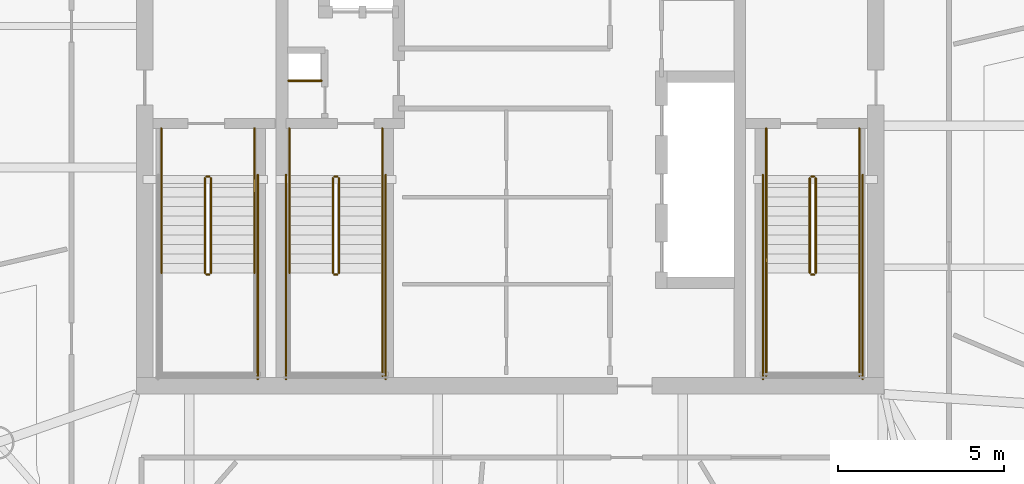
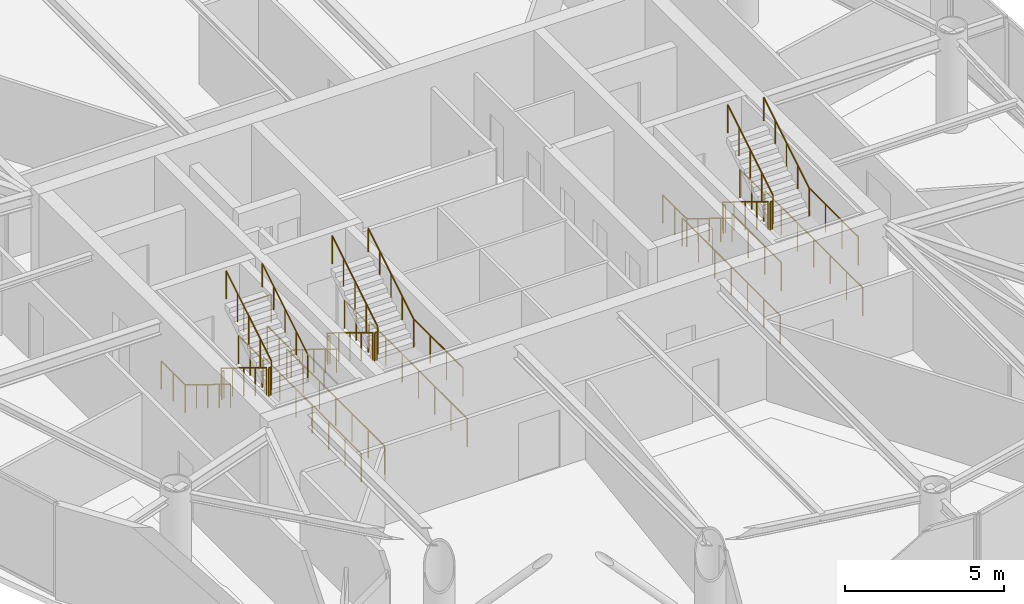
# One storey, part 18 of 19: 33 railings.
"""IFC4 building model written with IfcOpenShell, lengths in metres."""

from ifc_helpers import new_model, si_unit, direction, frame, origin, origin_2d, place, context, subcontext, project, spatial, circle, extrude, material, type_object, element, save


model = new_model("IFC4")

# Units and contexts
model_context = context("Model", 3, precision=1e-05, world=origin(), true_north=direction((0.0, 1.0)))
body_context = subcontext(model_context, "Body", "Model", "MODEL_VIEW")
ifc_project = project(units=[si_unit("LENGTHUNIT", "METRE"), si_unit("AREAUNIT", "SQUARE_METRE"), si_unit("VOLUMEUNIT", "CUBIC_METRE"), si_unit("PLANEANGLEUNIT", "RADIAN"), si_unit("MASSUNIT", "GRAM", prefix="KILO")], contexts=[model_context])

# Site, building, storey
site_placement = place(None, origin())
site = spatial("IfcSite", under=ifc_project, at=site_placement, CompositionType="ELEMENT")
building_placement = place(site_placement, origin())
building = spatial("IfcBuilding", under=site, at=building_placement, Name="Bramvorn Convention Spire", CompositionType="ELEMENT")
storey_placement = place(building_placement, frame((0.0, 0.0, 292.10009765625)))
storey = spatial("IfcBuildingStorey", under=building, at=storey_placement, Name="L74", CompositionType="ELEMENT", Elevation=292.10009765625)

# Railings
ifc_material_1 = material(Name="Painted Steel Balustrade & Guardrail", Category="steel")
railing_type_1 = type_object("IfcRailingType", Name="RL-STAIR-GUARD-1100", PredefinedType="GUARDRAIL", material=ifc_material_1)
railing_1_placement = place(storey_placement, frame((28.81005859375, 25.050048828125, 0.1748046875)))
element("IfcRailing", 1, at=railing_1_placement, inside=storey, type_object=railing_type_1, Name="L74 ST1 stair guard 1", PredefinedType="GUARDRAIL", context=body_context, shape_type="SweptSolid", body=[
    extrude(circle(Radius=0.02392578125, at=origin_2d()), frame((0.0, 0.0, 1.076171875), z_axis=(0.0, -0.852179220489, 0.52325001306), x_axis=(1.0, 0.0, 0.0)), (0.0, 0.0, 1.0), 3.344482421875),
    extrude(circle(Radius=0.02099609375, at=origin_2d()), origin(), (0.0, 0.0, 1.0), 1.052001953125),
    extrude(circle(Radius=0.02099609375, at=origin_2d()), frame((0.0, -0.71240234375, 0.4375)), (0.0, 0.0, 1.0), 1.052001953125),
    extrude(circle(Radius=0.02099609375, at=origin_2d()), frame((0.0, -1.425048828125, 0.875)), (0.0, 0.0, 1.0), 1.052001953125),
    extrude(circle(Radius=0.02099609375, at=origin_2d()), frame((0.0, -2.1376953125, 1.3125)), (0.0, 0.0, 1.0), 1.052001953125),
    extrude(circle(Radius=0.02099609375, at=origin_2d()), frame((0.0, -2.85009765625, 1.75)), (0.0, 0.0, 1.0), 1.052001953125),
])
railing_2_placement = place(storey_placement, frame((28.860107421875, 22.14990234375, 1.9248046875)))
element("IfcRailing", 2, at=railing_2_placement, inside=storey, type_object=railing_type_1, Name="L74 ST1 stair guard 2", PredefinedType="GUARDRAIL", context=body_context, shape_type="SweptSolid", body=[
    extrude(circle(Radius=0.02392578125, at=origin_2d()), frame((0.0, 0.0, 1.076171875), z_axis=(1.0, 0.0, 0.0), x_axis=(0.0, 1.0, 0.0)), (0.0, 0.0, 1.0), 0.079833984375),
    extrude(circle(Radius=0.02099609375, at=origin_2d()), origin(), (0.0, 0.0, 1.0), 1.052001953125),
    extrude(circle(Radius=0.02099609375, at=origin_2d()), frame((0.079833984375, 0.0, 0.0)), (0.0, 0.0, 1.0), 1.052001953125),
])
railing_3_placement = place(storey_placement, frame((28.989990234375, 22.199951171875, 2.099853515625)))
element("IfcRailing", 3, at=railing_3_placement, inside=storey, type_object=railing_type_1, Name="L74 ST1 stair guard 6", PredefinedType="GUARDRAIL", context=body_context, shape_type="SweptSolid", body=[
    extrude(circle(Radius=0.02392578125, at=origin_2d()), frame((0.0, 0.0, 1.076171875), z_axis=(0.0, 0.852179220489, 0.52325001306), x_axis=(-1.0, 0.0, 0.0)), (0.0, 0.0, 1.0), 3.344482421875),
    extrude(circle(Radius=0.02099609375, at=origin_2d()), origin(), (0.0, 0.0, 1.0), 1.052001953125),
    extrude(circle(Radius=0.02099609375, at=origin_2d()), frame((0.0, 0.71240234375, 0.4375)), (0.0, 0.0, 1.0), 1.052001953125),
    extrude(circle(Radius=0.02099609375, at=origin_2d()), frame((0.0, 1.425048828125, 0.875)), (0.0, 0.0, 1.0), 1.052001953125),
    extrude(circle(Radius=0.02099609375, at=origin_2d()), frame((0.0, 2.1376953125, 1.3125)), (0.0, 0.0, 1.0), 1.052001953125),
    extrude(circle(Radius=0.02099609375, at=origin_2d()), frame((0.0, 2.85009765625, 1.75)), (0.0, 0.0, 1.0), 1.052001953125),
])
railing_4_placement = place(storey_placement, frame((28.860107421875, 25.10009765625, 0.0)))
element("IfcRailing", 4, at=railing_4_placement, inside=storey, type_object=railing_type_1, Name="L74 ST1 stair guard 7", PredefinedType="GUARDRAIL", context=body_context, shape_type="SweptSolid", body=[
    extrude(circle(Radius=0.02392578125, at=origin_2d()), frame((0.0, 0.0, 1.076171875), z_axis=(1.0, 0.0, 0.0), x_axis=(0.0, 1.0, 0.0)), (0.0, 0.0, 1.0), 0.079833984375),
    extrude(circle(Radius=0.02099609375, at=origin_2d()), origin(), (0.0, 0.0, 1.0), 1.052001953125),
    extrude(circle(Radius=0.02099609375, at=origin_2d()), frame((0.079833984375, 0.0, 0.0)), (0.0, 0.0, 1.0), 1.052001953125),
])
for number, where, name in (
    (5, (27.5, 26.550048828125, 0.0), "L74 ST1 stair guard 8"),
    (6, (30.300048828125, 26.550048828125, 0.0), "L74 ST1 stair guard 9"),
):
    element("IfcRailing", number, at=place(storey_placement, frame(where)), inside=storey, type_object=railing_type_1, Name=name, PredefinedType="GUARDRAIL", context=body_context, shape_type="SweptSolid", body=[
        extrude(circle(Radius=0.02392578125, at=origin_2d()), frame((0.0, 0.0, 1.076171875), z_axis=(0.0, -1.0, 0.0), x_axis=(1.0, 0.0, 0.0)), (0.0, 0.0, 1.0), 1.5),
        extrude(circle(Radius=0.02099609375, at=origin_2d()), origin(), (0.0, 0.0, 1.0), 1.052001953125),
        extrude(circle(Radius=0.02099609375, at=origin_2d()), frame((0.0, -0.75, 0.0)), (0.0, 0.0, 1.0), 1.052001953125),
        extrude(circle(Radius=0.02099609375, at=origin_2d()), frame((0.0, -1.5, 0.0)), (0.0, 0.0, 1.0), 1.052001953125),
    ])
railing_5_placement = place(storey_placement, frame((30.39990234375, 25.14990234375, 0.0)))
element("IfcRailing", 7, at=railing_5_placement, inside=storey, type_object=railing_type_1, Name="L74 ST1 stair guard 11", PredefinedType="GUARDRAIL", context=body_context, shape_type="SweptSolid", body=[
    extrude(circle(Radius=0.02392578125, at=origin_2d()), frame((0.0, 0.0, 1.076171875), z_axis=(0.0, -1.0, 0.0), x_axis=(1.0, 0.0, 0.0)), (0.0, 0.0, 1.0), 6.14990234375),
    extrude(circle(Radius=0.02099609375, at=origin_2d()), origin(), (0.0, 0.0, 1.0), 1.052001953125),
    extrude(circle(Radius=0.02099609375, at=origin_2d()), frame((0.0, -1.02490234375, 0.0)), (0.0, 0.0, 1.0), 1.052001953125),
    extrude(circle(Radius=0.02099609375, at=origin_2d()), frame((0.0, -2.050048828125, 0.0)), (0.0, 0.0, 1.0), 1.052001953125),
    extrude(circle(Radius=0.02099609375, at=origin_2d()), frame((0.0, -3.074951171875, 0.0)), (0.0, 0.0, 1.0), 1.052001953125),
    extrude(circle(Radius=0.02099609375, at=origin_2d()), frame((0.0, -4.099853515625, 0.0)), (0.0, 0.0, 1.0), 1.052001953125),
    extrude(circle(Radius=0.02099609375, at=origin_2d()), frame((0.0, -5.125, 0.0)), (0.0, 0.0, 1.0), 1.052001953125),
    extrude(circle(Radius=0.02099609375, at=origin_2d()), frame((0.0, -6.14990234375, 0.0)), (0.0, 0.0, 1.0), 1.052001953125),
])
railing_6_placement = place(storey_placement, frame((47.010009765625, 25.050048828125, 0.1748046875)))
element("IfcRailing", 8, at=railing_6_placement, inside=storey, type_object=railing_type_1, Name="L74 ST2 stair guard 1", PredefinedType="GUARDRAIL", context=body_context, shape_type="SweptSolid", body=[
    extrude(circle(Radius=0.02392578125, at=origin_2d()), frame((0.0, 0.0, 1.076171875), z_axis=(0.0, -0.852179220489, 0.52325001306), x_axis=(1.0, 0.0, 0.0)), (0.0, 0.0, 1.0), 3.344482421875),
    extrude(circle(Radius=0.02099609375, at=origin_2d()), origin(), (0.0, 0.0, 1.0), 1.052001953125),
    extrude(circle(Radius=0.02099609375, at=origin_2d()), frame((0.0, -0.71240234375, 0.4375)), (0.0, 0.0, 1.0), 1.052001953125),
    extrude(circle(Radius=0.02099609375, at=origin_2d()), frame((0.0, -1.425048828125, 0.875)), (0.0, 0.0, 1.0), 1.052001953125),
    extrude(circle(Radius=0.02099609375, at=origin_2d()), frame((0.0, -2.1376953125, 1.3125)), (0.0, 0.0, 1.0), 1.052001953125),
    extrude(circle(Radius=0.02099609375, at=origin_2d()), frame((0.0, -2.85009765625, 1.75)), (0.0, 0.0, 1.0), 1.052001953125),
])
railing_7_placement = place(storey_placement, frame((47.06005859375, 22.14990234375, 1.9248046875)))
element("IfcRailing", 9, at=railing_7_placement, inside=storey, type_object=railing_type_1, Name="L74 ST2 stair guard 2", PredefinedType="GUARDRAIL", context=body_context, shape_type="SweptSolid", body=[
    extrude(circle(Radius=0.02392578125, at=origin_2d()), frame((0.0, 0.0, 1.076171875), z_axis=(1.0, 0.0, 0.0), x_axis=(0.0, 1.0, 0.0)), (0.0, 0.0, 1.0), 0.079833984375),
    extrude(circle(Radius=0.02099609375, at=origin_2d()), origin(), (0.0, 0.0, 1.0), 1.052001953125),
    extrude(circle(Radius=0.02099609375, at=origin_2d()), frame((0.079833984375, 0.0, 0.0)), (0.0, 0.0, 1.0), 1.052001953125),
])
for number, where, name in (
    (10, (45.699951171875, 22.199951171875, 1.9248046875), "L74 ST2 stair guard 3"),
    (11, (48.5, 22.199951171875, 1.9248046875), "L74 ST2 stair guard 4"),
):
    element("IfcRailing", number, at=place(storey_placement, frame(where)), inside=storey, type_object=railing_type_1, Name=name, PredefinedType="GUARDRAIL", context=body_context, shape_type="SweptSolid", body=[
        extrude(circle(Radius=0.02392578125, at=origin_2d()), frame((0.0, 0.0, 1.076171875), z_axis=(0.0, -1.0, 0.0), x_axis=(1.0, 0.0, 0.0)), (0.0, 0.0, 1.0), 3.099853515625),
        extrude(circle(Radius=0.02099609375, at=origin_2d()), origin(), (0.0, 0.0, 1.0), 1.052001953125),
        extrude(circle(Radius=0.02099609375, at=origin_2d()), frame((0.0, -1.033203125, 0.0)), (0.0, 0.0, 1.0), 1.052001953125),
        extrude(circle(Radius=0.02099609375, at=origin_2d()), frame((0.0, -2.066650390625, 0.0)), (0.0, 0.0, 1.0), 1.052001953125),
        extrude(circle(Radius=0.02099609375, at=origin_2d()), frame((0.0, -3.099853515625, 0.0)), (0.0, 0.0, 1.0), 1.052001953125),
    ])
railing_8_placement = place(storey_placement, frame((47.18994140625, 22.199951171875, 2.099853515625)))
element("IfcRailing", 12, at=railing_8_placement, inside=storey, type_object=railing_type_1, Name="L74 ST2 stair guard 6", PredefinedType="GUARDRAIL", context=body_context, shape_type="SweptSolid", body=[
    extrude(circle(Radius=0.02392578125, at=origin_2d()), frame((0.0, 0.0, 1.076171875), z_axis=(0.0, 0.852179220489, 0.52325001306), x_axis=(-1.0, 0.0, 0.0)), (0.0, 0.0, 1.0), 3.344482421875),
    extrude(circle(Radius=0.02099609375, at=origin_2d()), origin(), (0.0, 0.0, 1.0), 1.052001953125),
    extrude(circle(Radius=0.02099609375, at=origin_2d()), frame((0.0, 0.71240234375, 0.4375)), (0.0, 0.0, 1.0), 1.052001953125),
    extrude(circle(Radius=0.02099609375, at=origin_2d()), frame((0.0, 1.425048828125, 0.875)), (0.0, 0.0, 1.0), 1.052001953125),
    extrude(circle(Radius=0.02099609375, at=origin_2d()), frame((0.0, 2.1376953125, 1.3125)), (0.0, 0.0, 1.0), 1.052001953125),
    extrude(circle(Radius=0.02099609375, at=origin_2d()), frame((0.0, 2.85009765625, 1.75)), (0.0, 0.0, 1.0), 1.052001953125),
])
railing_9_placement = place(storey_placement, frame((47.06005859375, 25.10009765625, 0.0)))
element("IfcRailing", 13, at=railing_9_placement, inside=storey, type_object=railing_type_1, Name="L74 ST2 stair guard 7", PredefinedType="GUARDRAIL", context=body_context, shape_type="SweptSolid", body=[
    extrude(circle(Radius=0.02392578125, at=origin_2d()), frame((0.0, 0.0, 1.076171875), z_axis=(1.0, 0.0, 0.0), x_axis=(0.0, 1.0, 0.0)), (0.0, 0.0, 1.0), 0.079833984375),
    extrude(circle(Radius=0.02099609375, at=origin_2d()), origin(), (0.0, 0.0, 1.0), 1.052001953125),
    extrude(circle(Radius=0.02099609375, at=origin_2d()), frame((0.079833984375, 0.0, 0.0)), (0.0, 0.0, 1.0), 1.052001953125),
])
for number, where, name in (
    (14, (45.699951171875, 26.550048828125, 0.0), "L74 ST2 stair guard 8"),
    (15, (48.5, 26.550048828125, 0.0), "L74 ST2 stair guard 9"),
):
    element("IfcRailing", number, at=place(storey_placement, frame(where)), inside=storey, type_object=railing_type_1, Name=name, PredefinedType="GUARDRAIL", context=body_context, shape_type="SweptSolid", body=[
        extrude(circle(Radius=0.02392578125, at=origin_2d()), frame((0.0, 0.0, 1.076171875), z_axis=(0.0, -1.0, 0.0), x_axis=(1.0, 0.0, 0.0)), (0.0, 0.0, 1.0), 1.5),
        extrude(circle(Radius=0.02099609375, at=origin_2d()), origin(), (0.0, 0.0, 1.0), 1.052001953125),
        extrude(circle(Radius=0.02099609375, at=origin_2d()), frame((0.0, -0.75, 0.0)), (0.0, 0.0, 1.0), 1.052001953125),
        extrude(circle(Radius=0.02099609375, at=origin_2d()), frame((0.0, -1.5, 0.0)), (0.0, 0.0, 1.0), 1.052001953125),
    ])
for number, where, name in (
    (16, (45.60009765625, 25.14990234375, 0.0), "L74 ST2 stair guard 10"),
    (17, (48.60009765625, 25.14990234375, 0.0), "L74 ST2 stair guard 11"),
):
    element("IfcRailing", number, at=place(storey_placement, frame(where)), inside=storey, type_object=railing_type_1, Name=name, PredefinedType="GUARDRAIL", context=body_context, shape_type="SweptSolid", body=[
        extrude(circle(Radius=0.02392578125, at=origin_2d()), frame((0.0, 0.0, 1.076171875), z_axis=(0.0, -1.0, 0.0), x_axis=(1.0, 0.0, 0.0)), (0.0, 0.0, 1.0), 6.14990234375),
        extrude(circle(Radius=0.02099609375, at=origin_2d()), origin(), (0.0, 0.0, 1.0), 1.052001953125),
        extrude(circle(Radius=0.02099609375, at=origin_2d()), frame((0.0, -1.02490234375, 0.0)), (0.0, 0.0, 1.0), 1.052001953125),
        extrude(circle(Radius=0.02099609375, at=origin_2d()), frame((0.0, -2.050048828125, 0.0)), (0.0, 0.0, 1.0), 1.052001953125),
        extrude(circle(Radius=0.02099609375, at=origin_2d()), frame((0.0, -3.074951171875, 0.0)), (0.0, 0.0, 1.0), 1.052001953125),
        extrude(circle(Radius=0.02099609375, at=origin_2d()), frame((0.0, -4.099853515625, 0.0)), (0.0, 0.0, 1.0), 1.052001953125),
        extrude(circle(Radius=0.02099609375, at=origin_2d()), frame((0.0, -5.125, 0.0)), (0.0, 0.0, 1.0), 1.052001953125),
        extrude(circle(Radius=0.02099609375, at=origin_2d()), frame((0.0, -6.14990234375, 0.0)), (0.0, 0.0, 1.0), 1.052001953125),
    ])
railing_10_placement = place(storey_placement, frame((32.659912109375, 25.050048828125, 0.1748046875)))
element("IfcRailing", 18, at=railing_10_placement, inside=storey, type_object=railing_type_1, Name="L74 ST3 stair guard 1", PredefinedType="GUARDRAIL", context=body_context, shape_type="SweptSolid", body=[
    extrude(circle(Radius=0.02392578125, at=origin_2d()), frame((0.0, 0.0, 1.076171875), z_axis=(0.0, -0.852179220489, 0.52325001306), x_axis=(1.0, 0.0, 0.0)), (0.0, 0.0, 1.0), 3.344482421875),
    extrude(circle(Radius=0.02099609375, at=origin_2d()), origin(), (0.0, 0.0, 1.0), 1.052001953125),
    extrude(circle(Radius=0.02099609375, at=origin_2d()), frame((0.0, -0.71240234375, 0.4375)), (0.0, 0.0, 1.0), 1.052001953125),
    extrude(circle(Radius=0.02099609375, at=origin_2d()), frame((0.0, -1.425048828125, 0.875)), (0.0, 0.0, 1.0), 1.052001953125),
    extrude(circle(Radius=0.02099609375, at=origin_2d()), frame((0.0, -2.1376953125, 1.3125)), (0.0, 0.0, 1.0), 1.052001953125),
    extrude(circle(Radius=0.02099609375, at=origin_2d()), frame((0.0, -2.85009765625, 1.75)), (0.0, 0.0, 1.0), 1.052001953125),
])
railing_11_placement = place(storey_placement, frame((32.7099609375, 22.14990234375, 1.9248046875)))
element("IfcRailing", 19, at=railing_11_placement, inside=storey, type_object=railing_type_1, Name="L74 ST3 stair guard 2", PredefinedType="GUARDRAIL", context=body_context, shape_type="SweptSolid", body=[
    extrude(circle(Radius=0.02392578125, at=origin_2d()), frame((0.0, 0.0, 1.076171875), z_axis=(1.0, 0.0, 0.0), x_axis=(0.0, 1.0, 0.0)), (0.0, 0.0, 1.0), 0.080078125),
    extrude(circle(Radius=0.02099609375, at=origin_2d()), origin(), (0.0, 0.0, 1.0), 1.052001953125),
    extrude(circle(Radius=0.02099609375, at=origin_2d()), frame((0.080078125, 0.0, 0.0)), (0.0, 0.0, 1.0), 1.052001953125),
])
railing_12_placement = place(storey_placement, frame((34.14990234375, 22.199951171875, 1.9248046875)))
element("IfcRailing", 20, at=railing_12_placement, inside=storey, type_object=railing_type_1, Name="L74 ST3 stair guard 4", PredefinedType="GUARDRAIL", context=body_context, shape_type="SweptSolid", body=[
    extrude(circle(Radius=0.02392578125, at=origin_2d()), frame((0.0, 0.0, 1.076171875), z_axis=(0.0, -1.0, 0.0), x_axis=(1.0, 0.0, 0.0)), (0.0, 0.0, 1.0), 3.099853515625),
    extrude(circle(Radius=0.02099609375, at=origin_2d()), origin(), (0.0, 0.0, 1.0), 1.052001953125),
    extrude(circle(Radius=0.02099609375, at=origin_2d()), frame((0.0, -1.033203125, 0.0)), (0.0, 0.0, 1.0), 1.052001953125),
    extrude(circle(Radius=0.02099609375, at=origin_2d()), frame((0.0, -2.066650390625, 0.0)), (0.0, 0.0, 1.0), 1.052001953125),
    extrude(circle(Radius=0.02099609375, at=origin_2d()), frame((0.0, -3.099853515625, 0.0)), (0.0, 0.0, 1.0), 1.052001953125),
])
railing_13_placement = place(storey_placement, frame((32.840087890625, 22.199951171875, 2.099853515625)))
element("IfcRailing", 21, at=railing_13_placement, inside=storey, type_object=railing_type_1, Name="L74 ST3 stair guard 6", PredefinedType="GUARDRAIL", context=body_context, shape_type="SweptSolid", body=[
    extrude(circle(Radius=0.02392578125, at=origin_2d()), frame((0.0, 0.0, 1.076171875), z_axis=(0.0, 0.852179220489, 0.52325001306), x_axis=(-1.0, 0.0, 0.0)), (0.0, 0.0, 1.0), 3.344482421875),
    extrude(circle(Radius=0.02099609375, at=origin_2d()), origin(), (0.0, 0.0, 1.0), 1.052001953125),
    extrude(circle(Radius=0.02099609375, at=origin_2d()), frame((0.0, 0.71240234375, 0.4375)), (0.0, 0.0, 1.0), 1.052001953125),
    extrude(circle(Radius=0.02099609375, at=origin_2d()), frame((0.0, 1.425048828125, 0.875)), (0.0, 0.0, 1.0), 1.052001953125),
    extrude(circle(Radius=0.02099609375, at=origin_2d()), frame((0.0, 2.1376953125, 1.3125)), (0.0, 0.0, 1.0), 1.052001953125),
    extrude(circle(Radius=0.02099609375, at=origin_2d()), frame((0.0, 2.85009765625, 1.75)), (0.0, 0.0, 1.0), 1.052001953125),
])
railing_14_placement = place(storey_placement, frame((32.7099609375, 25.10009765625, 0.0)))
element("IfcRailing", 22, at=railing_14_placement, inside=storey, type_object=railing_type_1, Name="L74 ST3 stair guard 7", PredefinedType="GUARDRAIL", context=body_context, shape_type="SweptSolid", body=[
    extrude(circle(Radius=0.02392578125, at=origin_2d()), frame((0.0, 0.0, 1.076171875), z_axis=(1.0, 0.0, 0.0), x_axis=(0.0, 1.0, 0.0)), (0.0, 0.0, 1.0), 0.080078125),
    extrude(circle(Radius=0.02099609375, at=origin_2d()), origin(), (0.0, 0.0, 1.0), 1.052001953125),
    extrude(circle(Radius=0.02099609375, at=origin_2d()), frame((0.080078125, 0.0, 0.0)), (0.0, 0.0, 1.0), 1.052001953125),
])
for number, where, name in (
    (23, (31.35009765625, 26.550048828125, 0.0), "L74 ST3 stair guard 8"),
    (24, (34.14990234375, 26.550048828125, 0.0), "L74 ST3 stair guard 9"),
):
    element("IfcRailing", number, at=place(storey_placement, frame(where)), inside=storey, type_object=railing_type_1, Name=name, PredefinedType="GUARDRAIL", context=body_context, shape_type="SweptSolid", body=[
        extrude(circle(Radius=0.02392578125, at=origin_2d()), frame((0.0, 0.0, 1.076171875), z_axis=(0.0, -1.0, 0.0), x_axis=(1.0, 0.0, 0.0)), (0.0, 0.0, 1.0), 1.5),
        extrude(circle(Radius=0.02099609375, at=origin_2d()), origin(), (0.0, 0.0, 1.0), 1.052001953125),
        extrude(circle(Radius=0.02099609375, at=origin_2d()), frame((0.0, -0.75, 0.0)), (0.0, 0.0, 1.0), 1.052001953125),
        extrude(circle(Radius=0.02099609375, at=origin_2d()), frame((0.0, -1.5, 0.0)), (0.0, 0.0, 1.0), 1.052001953125),
    ])
for number, where, name in (
    (25, (31.25, 25.14990234375, 0.0), "L74 ST3 stair guard 10"),
    (26, (34.25, 25.14990234375, 0.0), "L74 ST3 stair guard 11"),
):
    element("IfcRailing", number, at=place(storey_placement, frame(where)), inside=storey, type_object=railing_type_1, Name=name, PredefinedType="GUARDRAIL", context=body_context, shape_type="SweptSolid", body=[
        extrude(circle(Radius=0.02392578125, at=origin_2d()), frame((0.0, 0.0, 1.076171875), z_axis=(0.0, -1.0, 0.0), x_axis=(1.0, 0.0, 0.0)), (0.0, 0.0, 1.0), 6.14990234375),
        extrude(circle(Radius=0.02099609375, at=origin_2d()), origin(), (0.0, 0.0, 1.0), 1.052001953125),
        extrude(circle(Radius=0.02099609375, at=origin_2d()), frame((0.0, -1.02490234375, 0.0)), (0.0, 0.0, 1.0), 1.052001953125),
        extrude(circle(Radius=0.02099609375, at=origin_2d()), frame((0.0, -2.050048828125, 0.0)), (0.0, 0.0, 1.0), 1.052001953125),
        extrude(circle(Radius=0.02099609375, at=origin_2d()), frame((0.0, -3.074951171875, 0.0)), (0.0, 0.0, 1.0), 1.052001953125),
        extrude(circle(Radius=0.02099609375, at=origin_2d()), frame((0.0, -4.099853515625, 0.0)), (0.0, 0.0, 1.0), 1.052001953125),
        extrude(circle(Radius=0.02099609375, at=origin_2d()), frame((0.0, -5.125, 0.0)), (0.0, 0.0, 1.0), 1.052001953125),
        extrude(circle(Radius=0.02099609375, at=origin_2d()), frame((0.0, -6.14990234375, 0.0)), (0.0, 0.0, 1.0), 1.052001953125),
    ])
railing_15_placement = place(storey_placement, frame((31.320068359375, 27.97998046875, 0.0)))
element("IfcRailing", 27, at=railing_15_placement, inside=storey, type_object=railing_type_1, Name="L74 Telecom riser shaft opening safety guardrail", PredefinedType="GUARDRAIL", context=body_context, shape_type="SweptSolid", body=[
    extrude(circle(Radius=0.02392578125, at=origin_2d()), frame((0.0, 0.0, 1.076171875), z_axis=(1.0, 0.0, 0.0), x_axis=(0.0, 1.0, 0.0)), (0.0, 0.0, 1.0), 1.0),
    extrude(circle(Radius=0.02099609375, at=origin_2d()), origin(), (0.0, 0.0, 1.0), 1.052001953125),
    extrude(circle(Radius=0.02099609375, at=origin_2d()), frame((1.0, 0.0, 0.0)), (0.0, 0.0, 1.0), 1.052001953125),
])
ifc_material_2 = material(Name="Brushed Bronze Tubular Handrail", Category="aluminium")
railing_type_2 = type_object("IfcRailingType", Name="RL-STAIR-HR-920", PredefinedType="HANDRAIL", material=ifc_material_2)
railing_16_placement = place(storey_placement, frame((27.5, 25.050048828125, 0.1748046875)))
element("IfcRailing", 28, at=railing_16_placement, inside=storey, type_object=railing_type_2, Name="L74 ST1 stair handrail 1", PredefinedType="HANDRAIL", context=body_context, shape_type="SweptSolid", body=[
    extrude(circle(Radius=0.02392578125, at=origin_2d()), frame((0.0, 0.0, 0.89599609375), z_axis=(0.0, -0.852179220489, 0.52325001306), x_axis=(1.0, 0.0, 0.0)), (0.0, 0.0, 1.0), 3.344482421875),
    extrude(circle(Radius=0.02099609375, at=origin_2d()), origin(), (0.0, 0.0, 1.0), 0.871826171875),
    extrude(circle(Radius=0.02099609375, at=origin_2d()), frame((0.0, -0.71240234375, 0.4375)), (0.0, 0.0, 1.0), 0.871826171875),
    extrude(circle(Radius=0.02099609375, at=origin_2d()), frame((0.0, -1.425048828125, 0.875)), (0.0, 0.0, 1.0), 0.871826171875),
    extrude(circle(Radius=0.02099609375, at=origin_2d()), frame((0.0, -2.1376953125, 1.3125)), (0.0, 0.0, 1.0), 0.871826171875),
    extrude(circle(Radius=0.02099609375, at=origin_2d()), frame((0.0, -2.85009765625, 1.75)), (0.0, 0.0, 1.0), 0.871826171875),
])
railing_17_placement = place(storey_placement, frame((30.300048828125, 22.199951171875, 2.099853515625)))
element("IfcRailing", 29, at=railing_17_placement, inside=storey, type_object=railing_type_2, Name="L74 ST1 stair handrail 2", PredefinedType="HANDRAIL", context=body_context, shape_type="SweptSolid", body=[
    extrude(circle(Radius=0.02392578125, at=origin_2d()), frame((0.0, 0.0, 0.89599609375), z_axis=(0.0, 0.852179220489, 0.52325001306), x_axis=(-1.0, 0.0, 0.0)), (0.0, 0.0, 1.0), 3.344482421875),
    extrude(circle(Radius=0.02099609375, at=origin_2d()), origin(), (0.0, 0.0, 1.0), 0.871826171875),
    extrude(circle(Radius=0.02099609375, at=origin_2d()), frame((0.0, 0.71240234375, 0.4375)), (0.0, 0.0, 1.0), 0.871826171875),
    extrude(circle(Radius=0.02099609375, at=origin_2d()), frame((0.0, 1.425048828125, 0.875)), (0.0, 0.0, 1.0), 0.871826171875),
    extrude(circle(Radius=0.02099609375, at=origin_2d()), frame((0.0, 2.1376953125, 1.3125)), (0.0, 0.0, 1.0), 0.871826171875),
    extrude(circle(Radius=0.02099609375, at=origin_2d()), frame((0.0, 2.85009765625, 1.75)), (0.0, 0.0, 1.0), 0.871826171875),
])
railing_18_placement = place(storey_placement, frame((45.699951171875, 25.050048828125, 0.1748046875)))
element("IfcRailing", 30, at=railing_18_placement, inside=storey, type_object=railing_type_2, Name="L74 ST2 stair handrail 1", PredefinedType="HANDRAIL", context=body_context, shape_type="SweptSolid", body=[
    extrude(circle(Radius=0.02392578125, at=origin_2d()), frame((0.0, 0.0, 0.89599609375), z_axis=(0.0, -0.852179220489, 0.52325001306), x_axis=(1.0, 0.0, 0.0)), (0.0, 0.0, 1.0), 3.344482421875),
    extrude(circle(Radius=0.02099609375, at=origin_2d()), origin(), (0.0, 0.0, 1.0), 0.871826171875),
    extrude(circle(Radius=0.02099609375, at=origin_2d()), frame((0.0, -0.71240234375, 0.4375)), (0.0, 0.0, 1.0), 0.871826171875),
    extrude(circle(Radius=0.02099609375, at=origin_2d()), frame((0.0, -1.425048828125, 0.875)), (0.0, 0.0, 1.0), 0.871826171875),
    extrude(circle(Radius=0.02099609375, at=origin_2d()), frame((0.0, -2.1376953125, 1.3125)), (0.0, 0.0, 1.0), 0.871826171875),
    extrude(circle(Radius=0.02099609375, at=origin_2d()), frame((0.0, -2.85009765625, 1.75)), (0.0, 0.0, 1.0), 0.871826171875),
])
railing_19_placement = place(storey_placement, frame((48.5, 22.199951171875, 2.099853515625)))
element("IfcRailing", 31, at=railing_19_placement, inside=storey, type_object=railing_type_2, Name="L74 ST2 stair handrail 2", PredefinedType="HANDRAIL", context=body_context, shape_type="SweptSolid", body=[
    extrude(circle(Radius=0.02392578125, at=origin_2d()), frame((0.0, 0.0, 0.89599609375), z_axis=(0.0, 0.852179220489, 0.52325001306), x_axis=(-1.0, 0.0, 0.0)), (0.0, 0.0, 1.0), 3.344482421875),
    extrude(circle(Radius=0.02099609375, at=origin_2d()), origin(), (0.0, 0.0, 1.0), 0.871826171875),
    extrude(circle(Radius=0.02099609375, at=origin_2d()), frame((0.0, 0.71240234375, 0.4375)), (0.0, 0.0, 1.0), 0.871826171875),
    extrude(circle(Radius=0.02099609375, at=origin_2d()), frame((0.0, 1.425048828125, 0.875)), (0.0, 0.0, 1.0), 0.871826171875),
    extrude(circle(Radius=0.02099609375, at=origin_2d()), frame((0.0, 2.1376953125, 1.3125)), (0.0, 0.0, 1.0), 0.871826171875),
    extrude(circle(Radius=0.02099609375, at=origin_2d()), frame((0.0, 2.85009765625, 1.75)), (0.0, 0.0, 1.0), 0.871826171875),
])
railing_20_placement = place(storey_placement, frame((31.35009765625, 25.050048828125, 0.1748046875)))
element("IfcRailing", 32, at=railing_20_placement, inside=storey, type_object=railing_type_2, Name="L74 ST3 stair handrail 1", PredefinedType="HANDRAIL", context=body_context, shape_type="SweptSolid", body=[
    extrude(circle(Radius=0.02392578125, at=origin_2d()), frame((0.0, 0.0, 0.89599609375), z_axis=(0.0, -0.852179220489, 0.52325001306), x_axis=(1.0, 0.0, 0.0)), (0.0, 0.0, 1.0), 3.344482421875),
    extrude(circle(Radius=0.02099609375, at=origin_2d()), origin(), (0.0, 0.0, 1.0), 0.871826171875),
    extrude(circle(Radius=0.02099609375, at=origin_2d()), frame((0.0, -0.71240234375, 0.4375)), (0.0, 0.0, 1.0), 0.871826171875),
    extrude(circle(Radius=0.02099609375, at=origin_2d()), frame((0.0, -1.425048828125, 0.875)), (0.0, 0.0, 1.0), 0.871826171875),
    extrude(circle(Radius=0.02099609375, at=origin_2d()), frame((0.0, -2.1376953125, 1.3125)), (0.0, 0.0, 1.0), 0.871826171875),
    extrude(circle(Radius=0.02099609375, at=origin_2d()), frame((0.0, -2.85009765625, 1.75)), (0.0, 0.0, 1.0), 0.871826171875),
])
railing_21_placement = place(storey_placement, frame((34.14990234375, 22.199951171875, 2.099853515625)))
element("IfcRailing", 33, at=railing_21_placement, inside=storey, type_object=railing_type_2, Name="L74 ST3 stair handrail 2", PredefinedType="HANDRAIL", context=body_context, shape_type="SweptSolid", body=[
    extrude(circle(Radius=0.02392578125, at=origin_2d()), frame((0.0, 0.0, 0.89599609375), z_axis=(0.0, 0.852179220489, 0.52325001306), x_axis=(-1.0, 0.0, 0.0)), (0.0, 0.0, 1.0), 3.344482421875),
    extrude(circle(Radius=0.02099609375, at=origin_2d()), origin(), (0.0, 0.0, 1.0), 0.871826171875),
    extrude(circle(Radius=0.02099609375, at=origin_2d()), frame((0.0, 0.71240234375, 0.4375)), (0.0, 0.0, 1.0), 0.871826171875),
    extrude(circle(Radius=0.02099609375, at=origin_2d()), frame((0.0, 1.425048828125, 0.875)), (0.0, 0.0, 1.0), 0.871826171875),
    extrude(circle(Radius=0.02099609375, at=origin_2d()), frame((0.0, 2.1376953125, 1.3125)), (0.0, 0.0, 1.0), 0.871826171875),
    extrude(circle(Radius=0.02099609375, at=origin_2d()), frame((0.0, 2.85009765625, 1.75)), (0.0, 0.0, 1.0), 0.871826171875),
])

save(model, "model.ifc")
